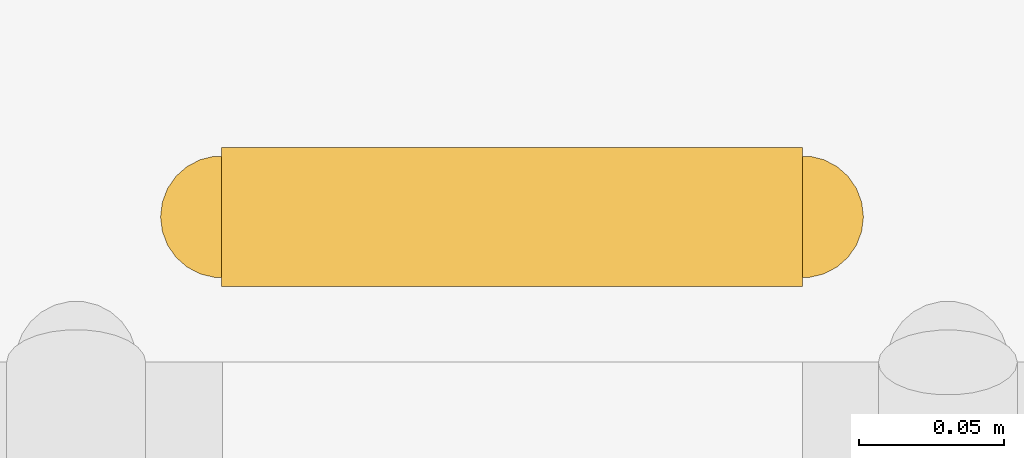
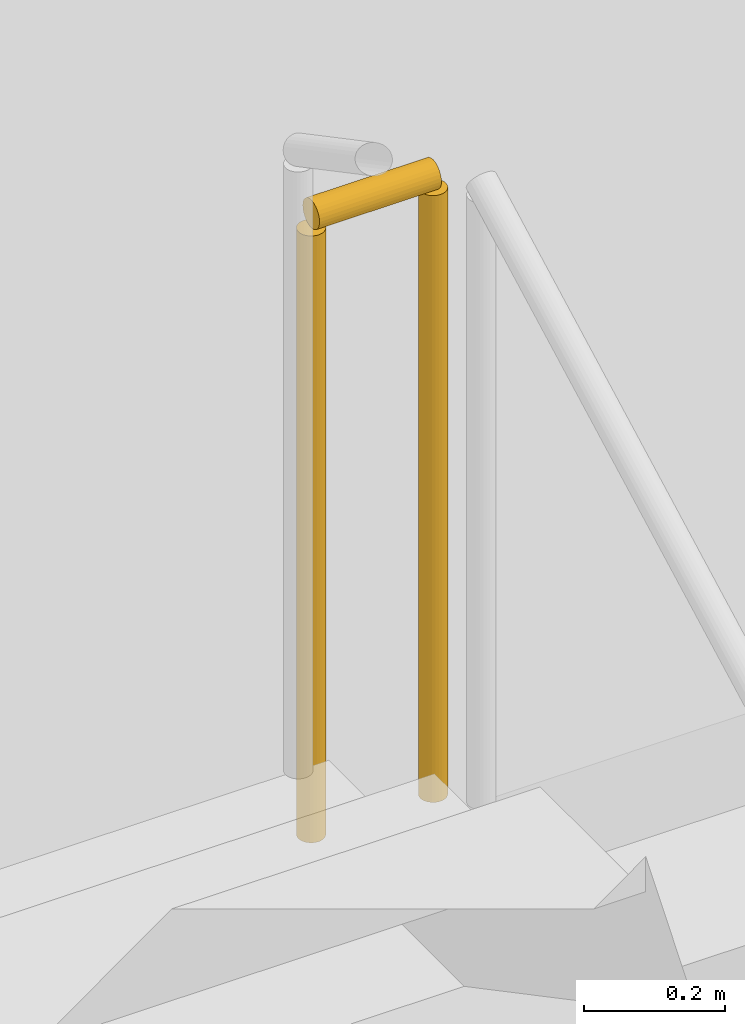
# One storey, part 40 of 45: 1 railing.
"""IFC4 building model written with IfcOpenShell, lengths in metres."""

from ifc_helpers import new_model, si_unit, direction, frame, origin, origin_2d, place, context, subcontext, project, spatial, circle, extrude, material, type_object, element, save


model = new_model("IFC4")

# Units and contexts
model_context = context("Model", 3, precision=1e-05, world=origin(), true_north=direction((0.0, 1.0)))
body_context = subcontext(model_context, "Body", "Model", "MODEL_VIEW")
ifc_project = project(units=[si_unit("LENGTHUNIT", "METRE"), si_unit("AREAUNIT", "SQUARE_METRE"), si_unit("VOLUMEUNIT", "CUBIC_METRE"), si_unit("PLANEANGLEUNIT", "RADIAN"), si_unit("MASSUNIT", "GRAM", prefix="KILO")], contexts=[model_context])

# Site, building, storey
site_placement = place(None, origin())
site = spatial("IfcSite", under=ifc_project, at=site_placement, CompositionType="ELEMENT")
building_placement = place(site_placement, origin())
building = spatial("IfcBuilding", under=site, at=building_placement, Name="Kenh Van Central Station", CompositionType="ELEMENT")
storey_placement = place(building_placement, frame((0.0, 0.0, -5.39990234375)))
storey = spatial("IfcBuildingStorey", under=building, at=storey_placement, Name="B1", CompositionType="ELEMENT", Elevation=-5.39990234375)

# Railing
ifc_material = material(Name="Champagne anodised aluminium", Category="aluminium")
railing_type = type_object("IfcRailingType", Name="RAIL-CORE-GRD110", PredefinedType="GUARDRAIL", material=ifc_material)
railing_placement = place(storey_placement, frame((114.89990234375, 27.75, 2.699951171875)))
element("IfcRailing", 1, at=railing_placement, inside=storey, type_object=railing_type, Name="B1 ST-04 stair guard 2", PredefinedType="GUARDRAIL", context=body_context, shape_type="SweptSolid", body=[
    extrude(circle(Radius=0.02392578125, at=origin_2d()), frame((0.0, 0.0, 1.076171875), z_axis=(-1.0, 0.0, 0.0), x_axis=(0.0, -1.0, 0.0)), (0.0, 0.0, 1.0), 0.199951171875),
    extrude(circle(Radius=0.02099609375, at=origin_2d()), origin(), (0.0, 0.0, 1.0), 1.052001953125),
    extrude(circle(Radius=0.02099609375, at=origin_2d()), frame((-0.199951171875, 0.0, 0.0)), (0.0, 0.0, 1.0), 1.052001953125),
])

save(model, "model.ifc")
